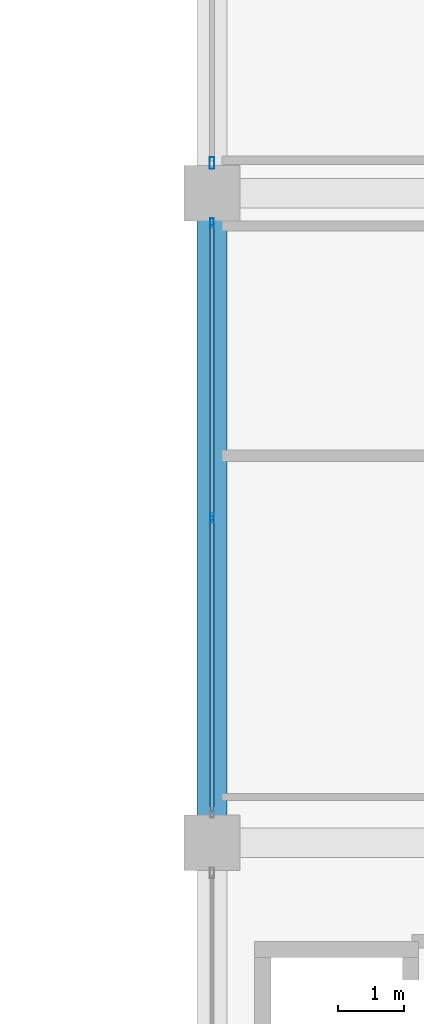
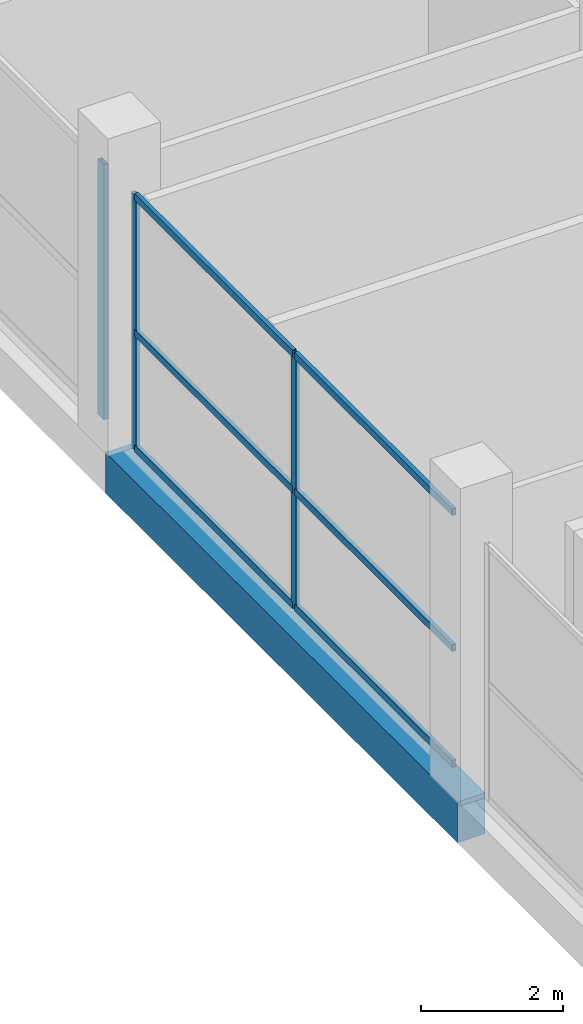
# One storey, part 5 of 72: 9 members, 1 beam, 2 elements without a shape of their own.
"""IFC4 building model written with IfcOpenShell, lengths in metres."""

from ifc_helpers import new_model, si_unit, direction, frame, origin, origin_2d, place, context, subcontext, project, spatial, rectangle, hollow_rectangle, extrude, material, layer, layer_set, material_profile, profile_set, type_object, element, aggregate, save


model = new_model("IFC4")

# Units and contexts
model_context = context("Model", 3, precision=1e-05, world=origin(), true_north=direction((0.0, 1.0)))
body_context = subcontext(model_context, "Body", "Model", "MODEL_VIEW")
ifc_project = project(units=[si_unit("LENGTHUNIT", "METRE"), si_unit("AREAUNIT", "SQUARE_METRE"), si_unit("VOLUMEUNIT", "CUBIC_METRE"), si_unit("PLANEANGLEUNIT", "RADIAN"), si_unit("MASSUNIT", "GRAM", prefix="KILO")], contexts=[model_context])

# Site, building, storey
site_placement = place(None, origin())
site = spatial("IfcSite", under=ifc_project, at=site_placement, CompositionType="ELEMENT")
building_placement = place(site_placement, origin())
building = spatial("IfcBuilding", under=site, at=building_placement, Name="Sillaruma Civic Art Gallery", CompositionType="ELEMENT")
storey_placement = place(building_placement, frame((0.0, 0.0, 10.8798828125)))
storey = spatial("IfcBuildingStorey", under=building, at=storey_placement, Name="L02", CompositionType="ELEMENT", Elevation=10.8798828125)

# Beam
ifc_material_1 = material(Name="Concrete H35 (35 MPa)", Category="concrete")
ifc_material_profile_1 = material_profile(ifc_material_1, rectangle(XDim=0.449951171875, YDim=0.699951171875, at=origin_2d()), Name="RCB450x700")
ifc_profile_set_1 = profile_set([ifc_material_profile_1], Name="Concrete H35 (35 MPa)")
beam_type = type_object("IfcBeamType", Name="BM-SPANDREL-RCB450x700", PredefinedType="SPANDREL", material=ifc_profile_set_1)
beam_placement = place(storey_placement, frame((62.0, 49.5, -0.60986328125), z_axis=(0.0, 1.0, 0.0), x_axis=(-1.0, 0.0, 0.0)))
element("IfcBeam", 1, at=beam_placement, inside=storey, type_object=beam_type, Name="Beam BS-03 (L01:F:6-7)", PredefinedType="SPANDREL", context=body_context, shape_type="SweptSolid", body=[
    extrude(rectangle(XDim=0.449951171875, YDim=0.699951171875, at=origin_2d()), origin(), (0.0, 0.0, 1.0), 9.89990234375),
])

# Curtain wall, members
ifc_material_2 = material(Name="Thermally Broken Extruded Aluminium 6063-T6", Category="aluminium")
ifc_layer_1 = layer(ifc_material_2, 0.139892578125, Name="Thermally Broken Extruded Aluminium 6063-T6")
ifc_layer_set_1 = layer_set([ifc_layer_1], Name="Thermally Broken Extruded Aluminium 6063-T6")
curtain_wall_type_1 = type_object("IfcCurtainWallType", Name="CW-UNI-15", PredefinedType="NOTDEFINED", material=ifc_layer_set_1)
curtain_wall_1_placement = place(storey_placement, origin())
curtain_wall_1 = element("IfcCurtainWall", 2, at=curtain_wall_1_placement, inside=storey, type_object=curtain_wall_type_1, Name="Unitised Curtain Wall CW-15 (CW-L02-SPW-4)", PredefinedType="NOTDEFINED")
ifc_material_profile_2 = material_profile(ifc_material_2, hollow_rectangle(XDim=0.06005859375, YDim=0.139892578125, WallThickness=0.00341796875, at=origin_2d()), Name="CWM60x140")
ifc_profile_set_2 = profile_set([ifc_material_profile_2], Name="Thermally Broken Extruded Aluminium 6063-T6")
member_type_1 = type_object("IfcMemberType", Name="MEM-MUL-CWM60x140", PredefinedType="MULLION", material=ifc_profile_set_2)
member_1_placement = place(storey_placement, frame((62.0, 54.449951171875, 0.0), z_axis=(0.0, 0.0, 1.0), x_axis=(-1.0, 0.0, 0.0)))
member_1 = element("IfcMember", 3, at=member_1_placement, type_object=member_type_1, Name="CW-15 mullion 2", PredefinedType="MULLION", context=body_context, shape_type="SweptSolid", body=[
    extrude(hollow_rectangle(XDim=0.06005859375, YDim=0.139892578125, WallThickness=0.00341796875, at=origin_2d()), origin(), (0.0, 0.0, 1.0), 4.380126953125),
])
member_2_placement = place(storey_placement, frame((62.0, 58.945068359375, 0.0), z_axis=(0.0, 0.0, 1.0), x_axis=(-1.0, 0.0, 0.0)))
member_2 = element("IfcMember", 4, at=member_2_placement, type_object=member_type_1, Name="CW-15 mullion 3", PredefinedType="MULLION", context=body_context, shape_type="SweptSolid", body=[
    extrude(hollow_rectangle(XDim=0.06005859375, YDim=0.139892578125, WallThickness=0.00341796875, at=origin_2d()), origin(), (0.0, 0.0, 1.0), 4.380126953125),
])

# Curtain wall, member
ifc_layer_2 = layer(ifc_material_2, 0.179931640625, Name="Thermally Broken Extruded Aluminium 6063-T6")
ifc_layer_set_2 = layer_set([ifc_layer_2], Name="Thermally Broken Extruded Aluminium 6063-T6")
curtain_wall_type_2 = type_object("IfcCurtainWallType", Name="CW-UNI-06", PredefinedType="NOTDEFINED", material=ifc_layer_set_2)
curtain_wall_2_placement = place(storey_placement, origin())
curtain_wall_2 = element("IfcCurtainWall", 5, at=curtain_wall_2_placement, inside=storey, type_object=curtain_wall_type_2, Name="Unitised Curtain Wall CW-06 (CW-L02-SPW-5)", PredefinedType="NOTDEFINED")
ifc_material_profile_3 = material_profile(ifc_material_2, hollow_rectangle(XDim=0.070068359375, YDim=0.179931640625, WallThickness=0.00390625, at=origin_2d()), Name="CWM70x180")
ifc_profile_set_3 = profile_set([ifc_material_profile_3], Name="Thermally Broken Extruded Aluminium 6063-T6")
member_type_2 = type_object("IfcMemberType", Name="MEM-MUL-CWM70x180", PredefinedType="MULLION", material=ifc_profile_set_3)
member_3_placement = place(storey_placement, frame((62.0, 59.860107421875, 0.0), z_axis=(0.0, 0.0, 1.0), x_axis=(-1.0, 0.0, 0.0)))
member_3 = element("IfcMember", 6, at=member_3_placement, type_object=member_type_2, Name="CW-06 mullion 1", PredefinedType="MULLION", context=body_context, shape_type="SweptSolid", body=[
    extrude(hollow_rectangle(XDim=0.070068359375, YDim=0.179931640625, WallThickness=0.00390625, at=origin_2d()), origin(), (0.0, 0.0, 1.0), 4.380126953125),
])
aggregate(curtain_wall_2, [member_3])

# Member
ifc_material_profile_4 = material_profile(ifc_material_2, hollow_rectangle(XDim=0.06494140625, YDim=0.1201171875, WallThickness=0.00341796875, at=origin_2d()), Name="CWT65x120")
ifc_profile_set_4 = profile_set([ifc_material_profile_4], Name="Thermally Broken Extruded Aluminium 6063-T6")
member_type_3 = type_object("IfcMemberType", Name="MEM-TRN-CWT65x120", PredefinedType="USERDEFINED", material=ifc_profile_set_4)
member_4_placement = place(storey_placement, frame((62.0, 49.985107421875, 0.03271484375), z_axis=(0.0, 1.0, 0.0), x_axis=(-1.0, 0.0, 0.0)))
member_4 = element("IfcMember", 7, at=member_4_placement, type_object=member_type_3, Name="CW-15 transom 1.1", ObjectType="TRANSOM", PredefinedType="USERDEFINED", context=body_context, shape_type="SweptSolid", body=[
    extrude(hollow_rectangle(XDim=0.06494140625, YDim=0.1201171875, WallThickness=0.00341796875, at=origin_2d()), origin(), (0.0, 0.0, 1.0), 4.434814453125),
])

member_5_placement = place(storey_placement, frame((62.0, 49.985107421875, 2.014892578125), z_axis=(0.0, 1.0, 0.0), x_axis=(-1.0, 0.0, 0.0)))
member_5 = element("IfcMember", 8, at=member_5_placement, type_object=member_type_3, Name="CW-15 transom 1.2", ObjectType="TRANSOM", PredefinedType="USERDEFINED", context=body_context, shape_type="SweptSolid", body=[
    extrude(hollow_rectangle(XDim=0.06494140625, YDim=0.1201171875, WallThickness=0.00341796875, at=origin_2d()), origin(), (0.0, 0.0, 1.0), 4.434814453125),
])

member_6_placement = place(storey_placement, frame((62.0, 49.985107421875, 4.34765625), z_axis=(0.0, 1.0, 0.0), x_axis=(-1.0, 0.0, 0.0)))
member_6 = element("IfcMember", 9, at=member_6_placement, type_object=member_type_3, Name="CW-15 transom 1.3", ObjectType="TRANSOM", PredefinedType="USERDEFINED", context=body_context, shape_type="SweptSolid", body=[
    extrude(hollow_rectangle(XDim=0.06494140625, YDim=0.1201171875, WallThickness=0.00341796875, at=origin_2d()), origin(), (0.0, 0.0, 1.0), 4.434814453125),
])

member_7_placement = place(storey_placement, frame((62.0, 54.47998046875, 0.03271484375), z_axis=(0.0, 1.0, 0.0), x_axis=(-1.0, 0.0, 0.0)))
member_7 = element("IfcMember", 10, at=member_7_placement, type_object=member_type_3, Name="CW-15 transom 2.1", ObjectType="TRANSOM", PredefinedType="USERDEFINED", context=body_context, shape_type="SweptSolid", body=[
    extrude(hollow_rectangle(XDim=0.06494140625, YDim=0.1201171875, WallThickness=0.00341796875, at=origin_2d()), origin(), (0.0, 0.0, 1.0), 4.43505859375),
])

member_8_placement = place(storey_placement, frame((62.0, 54.47998046875, 2.014892578125), z_axis=(0.0, 1.0, 0.0), x_axis=(-1.0, 0.0, 0.0)))
member_8 = element("IfcMember", 11, at=member_8_placement, type_object=member_type_3, Name="CW-15 transom 2.2", ObjectType="TRANSOM", PredefinedType="USERDEFINED", context=body_context, shape_type="SweptSolid", body=[
    extrude(hollow_rectangle(XDim=0.06494140625, YDim=0.1201171875, WallThickness=0.00341796875, at=origin_2d()), origin(), (0.0, 0.0, 1.0), 4.43505859375),
])

member_9_placement = place(storey_placement, frame((62.0, 54.47998046875, 4.34765625), z_axis=(0.0, 1.0, 0.0), x_axis=(-1.0, 0.0, 0.0)))
member_9 = element("IfcMember", 12, at=member_9_placement, type_object=member_type_3, Name="CW-15 transom 2.3", ObjectType="TRANSOM", PredefinedType="USERDEFINED", context=body_context, shape_type="SweptSolid", body=[
    extrude(hollow_rectangle(XDim=0.06494140625, YDim=0.1201171875, WallThickness=0.00341796875, at=origin_2d()), origin(), (0.0, 0.0, 1.0), 4.43505859375),
])

aggregate(curtain_wall_1, [member_1, member_2, member_4, member_5, member_6, member_7, member_8, member_9])

save(model, "model.ifc")
